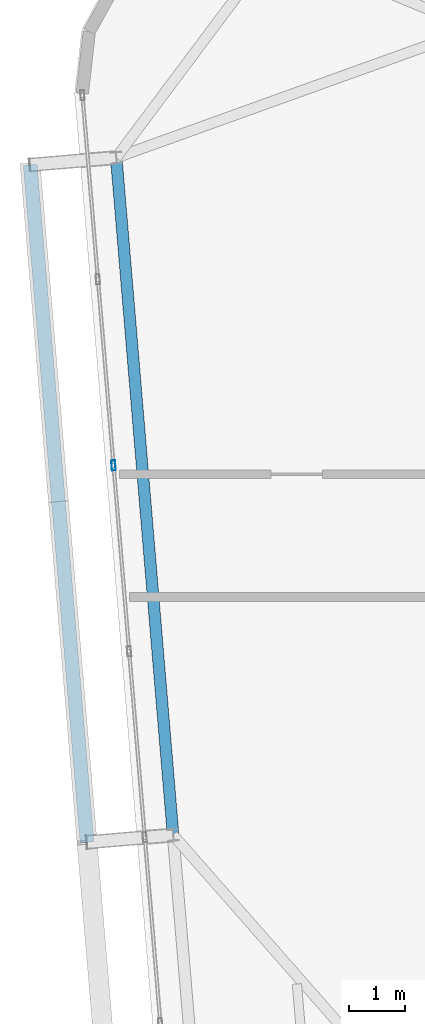
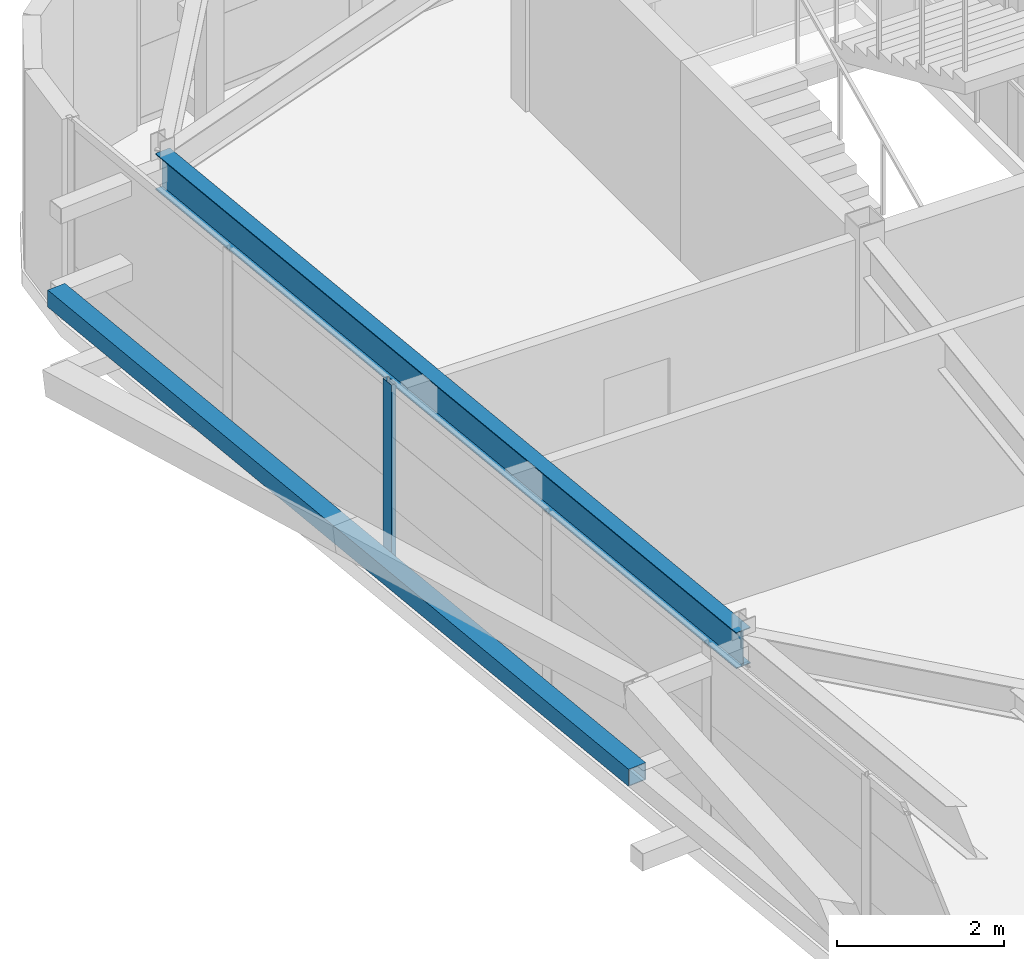
# One storey, part 15 of 46: 2 members, 1 beam, 1 element without a shape of its own.
"""IFC4 building model written with IfcOpenShell, lengths in metres."""

from ifc_helpers import new_model, si_unit, direction, frame, origin, origin_2d, place, context, subcontext, project, spatial, hollow_rectangle, i_section, extrude, source, transform, mapped, material, layer, layer_set, material_profile, profile_set, type_object, element, aggregate, save


model = new_model("IFC4")

# Units and contexts
model_context = context("Model", 3, precision=1e-05, world=origin(), true_north=direction((0.0, 1.0)))
body_context = subcontext(model_context, "Body", "Model", "MODEL_VIEW")
ifc_project = project(units=[si_unit("LENGTHUNIT", "METRE"), si_unit("AREAUNIT", "SQUARE_METRE"), si_unit("VOLUMEUNIT", "CUBIC_METRE"), si_unit("PLANEANGLEUNIT", "RADIAN"), si_unit("MASSUNIT", "GRAM", prefix="KILO")], contexts=[model_context])

# Site, building, storey
site_placement = place(None, origin())
site = spatial("IfcSite", under=ifc_project, at=site_placement, CompositionType="ELEMENT")
building_placement = place(site_placement, origin())
building = spatial("IfcBuilding", under=site, at=building_placement, Name="Taldren Reach Tower", CompositionType="ELEMENT")
storey_placement = place(building_placement, frame((0.0, 0.0, 185.14990234375)))
storey = spatial("IfcBuildingStorey", under=building, at=storey_placement, Name="L56", CompositionType="ELEMENT", Elevation=185.14990234375)

# Beam
ifc_material_1 = material(Name="Steel Gr 350 (350PLUS)", Category="steel")
ifc_material_profile_1 = material_profile(ifc_material_1, i_section(OverallWidth=0.208984375, OverallDepth=0.528076171875, WebThickness=0.009521484375, FlangeThickness=0.01318359375, at=origin_2d()), Name="530UB82.0")
ifc_profile_set_1 = profile_set([ifc_material_profile_1], Name="Steel Gr 350 (350PLUS)")
beam_type = type_object("IfcBeamType", Name="SP-UB530B", PredefinedType="SPANDREL", material=ifc_profile_set_1)
shared_shape_1 = source(origin(), body_context, "Body", "SweptSolid", [
    extrude(i_section(OverallWidth=0.208984375, OverallDepth=0.528076171875, WebThickness=0.009521484375, FlangeThickness=0.01318359375, at=origin_2d()), origin(), (0.0, 0.0, 1.0), 12.199951171875),
])
beam_placement = place(storey_placement, frame((12.56201171875, 29.682373046875, 2.666015625), z_axis=(0.083668166953, -0.99649367175, 0.0), x_axis=(0.99649367175, 0.083668166953, 0.0)))
element("IfcBeam", 1, at=beam_placement, inside=storey, type_object=beam_type, Name="Perimeter spandrel B4 W3-W2 L56", PredefinedType="SPANDREL", context=body_context, shape_type="MappedRepresentation", body=[
    mapped(shared_shape_1, transform((0.0, 0.0, 0.0), scale=1.0)),
])

# Member
ifc_material_2 = material(Name="Steel Gr 350 (C350L0)", Category="steel")
ifc_material_profile_2 = material_profile(ifc_material_2, hollow_rectangle(XDim=0.25, YDim=0.25, WallThickness=0.010009765625, at=origin_2d()), Name="250x250x10.0SHS")
ifc_profile_set_2 = profile_set([ifc_material_profile_2], Name="Steel Gr 350 (C350L0)")
member_type_1 = type_object("IfcMemberType", Name="MB-POST250", PredefinedType="POST", material=ifc_profile_set_2)
shared_shape_2 = source(origin(), body_context, "Body", "SweptSolid", [
    extrude(hollow_rectangle(XDim=0.25, YDim=0.25, WallThickness=0.010009765625, at=origin_2d()), origin(), (0.0, 0.0, 1.0), 12.199951171875),
])
member_1_placement = place(storey_placement, frame((12.0380859375, 17.3955078125, 1.43505859375), z_axis=(-0.083668166953, 0.99649367175, 0.0), x_axis=(-0.99649367175, -0.083668166953, 0.0)))
element("IfcMember", 2, at=member_1_placement, inside=storey, type_object=member_type_1, Name="Exoskeleton mid-height ring chord B4-W2 L56", PredefinedType="POST", context=body_context, shape_type="MappedRepresentation", body=[
    mapped(shared_shape_2, transform((0.0, 0.0, 0.0), scale=1.0)),
])

# Curtain wall, member
ifc_material_3 = material(Name="Aluminium and Low-E Glass Unitised System", Category="aluminium")
ifc_layer = layer(ifc_material_3, 0.159912109375)
ifc_layer_set = layer_set([ifc_layer], Name="Aluminium and Low-E Glass Unitised System")
curtain_wall_type = type_object("IfcCurtainWallType", Name="CW-SYS-5", PredefinedType="NOTDEFINED", material=ifc_layer_set)
curtain_wall_placement = place(storey_placement, origin())
curtain_wall = element("IfcCurtainWall", 3, at=curtain_wall_placement, inside=storey, type_object=curtain_wall_type, Name="Unitised curtain wall CW-L56-W", PredefinedType="NOTDEFINED")
ifc_material_4 = material(Name="Anodised Aluminium 6063-T6", Category="aluminium")
ifc_material_profile_3 = material_profile(ifc_material_4, hollow_rectangle(XDim=0.070068359375, YDim=0.179931640625, WallThickness=0.00390625, at=origin_2d()), Name="ALU-180x70x4RHS")
ifc_profile_set_3 = profile_set([ifc_material_profile_3], Name="Anodised Aluminium 6063-T6")
member_type_2 = type_object("IfcMemberType", Name="CW-MUL-180", PredefinedType="MULLION", material=ifc_profile_set_3)
shared_shape_3 = source(origin(), body_context, "Body", "SweptSolid", [
    extrude(hollow_rectangle(XDim=0.070068359375, YDim=0.179931640625, WallThickness=0.00390625, at=origin_2d()), origin(), (0.0, 0.0, 1.0), 2.93017578125),
])
member_2_placement = place(storey_placement, frame((12.513916015625, 24.158935546875, 0.0), z_axis=(0.0, 0.0, 1.0), x_axis=(0.996492847789, 0.083677979808, 0.0)))
member_2 = element("IfcMember", 4, at=member_2_placement, type_object=member_type_2, Name="CW-5 mullion 3", PredefinedType="MULLION", context=body_context, shape_type="MappedRepresentation", body=[
    mapped(shared_shape_3, transform((0.0, 0.0, 0.0), scale=1.0)),
])
aggregate(curtain_wall, [member_2])

save(model, "model.ifc")
